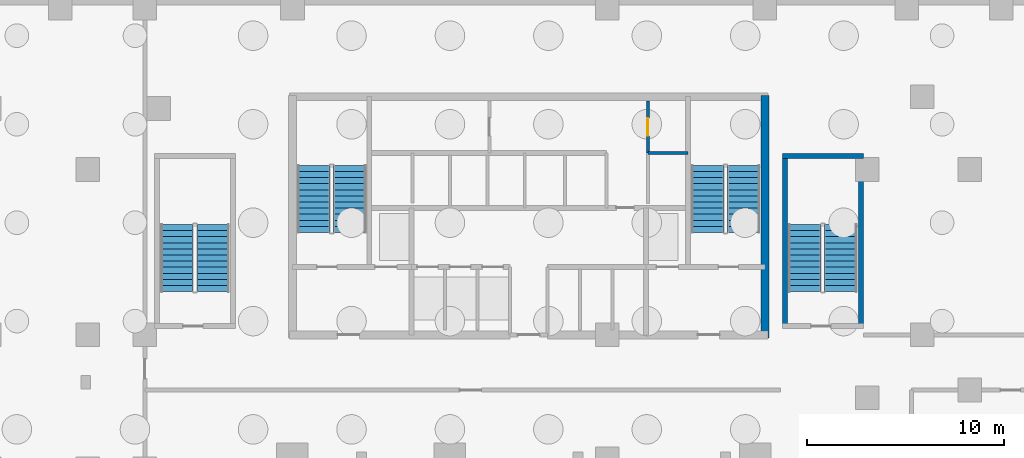
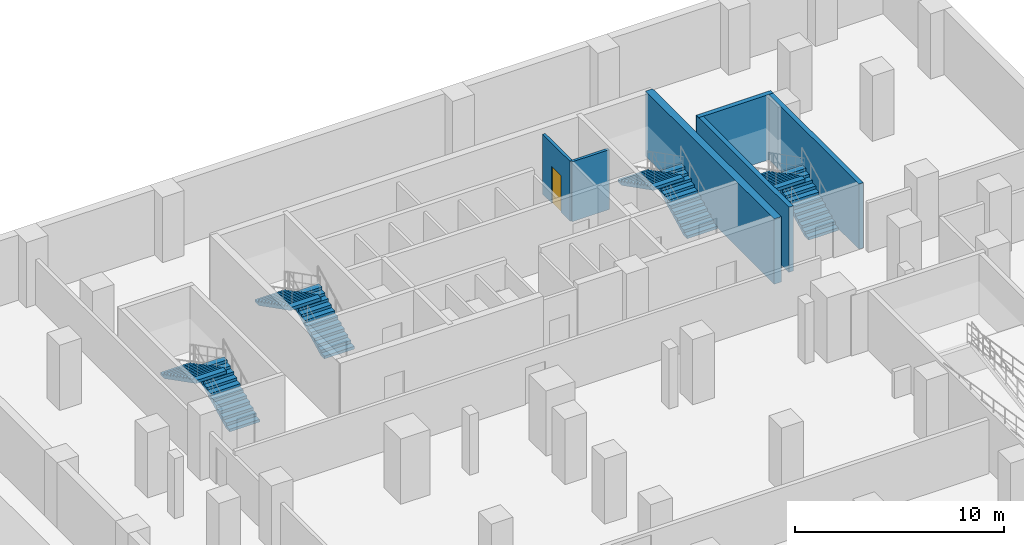
# One storey, part 3 of 6: 8 stair flights, 6 walls, 1 door, 1 opening, 4 elements without a shape of their own.
"""IFC4 building model written with IfcOpenShell, lengths in metres."""

from ifc_helpers import new_model, si_unit, direction, frame, frame_2d, origin, place, context, subcontext, project, spatial, polyline, rectangle, outline, extrude, material, layer, layer_set, type_object, element, fill, aggregate, save


model = new_model("IFC4")

# Units and contexts
model_context = context("Model", 3, precision=1e-05, world=origin(), true_north=direction((0.0, 1.0)))
body_context = subcontext(model_context, "Body", "Model", "MODEL_VIEW")
ifc_project = project(units=[si_unit("LENGTHUNIT", "METRE"), si_unit("AREAUNIT", "SQUARE_METRE"), si_unit("VOLUMEUNIT", "CUBIC_METRE"), si_unit("PLANEANGLEUNIT", "RADIAN"), si_unit("MASSUNIT", "GRAM", prefix="KILO")], contexts=[model_context])

# Site, building, storey
site_placement = place(None, origin())
site = spatial("IfcSite", under=ifc_project, at=site_placement, CompositionType="ELEMENT")
building_placement = place(site_placement, origin())
building = spatial("IfcBuilding", under=site, at=building_placement, Name="Catumbela Crestline Tower", CompositionType="ELEMENT")
storey_placement = place(building_placement, frame((0.0, 0.0, -13.2)))
storey = spatial("IfcBuildingStorey", under=building, at=storey_placement, Name="B03", CompositionType="ELEMENT", Elevation=-13.2)

# Walls
ifc_material_1 = material(Name="Concrete C50/60", Category="concrete")
ifc_layer_1 = layer(ifc_material_1, 0.25, Name="Concrete C50/60")
ifc_layer_set_1 = layer_set([ifc_layer_1], Name="Concrete C50/60")
wall_type_1 = type_object("IfcWallType", Name="CW-250D", PredefinedType="SHEAR", material=ifc_layer_set_1)
for number, where, z_axis, x_axis, name in (
    (1, (41.02, 31.15, 0.0), (0.0, 0.0, 1.0), (0.0, 1.0, 0.0), "B03 Structural Core Shear Wall ST4W"),
    (2, (44.88, 31.15, 0.0), (0.0, 0.0, 1.0), (0.0, 1.0, 0.0), "B03 Structural Core Shear Wall ST4E"),
):
    element("IfcWall", number, at=place(storey_placement, frame(where, z_axis=z_axis, x_axis=x_axis)), inside=storey, type_object=wall_type_1, Name=name, PredefinedType="SHEAR", context=body_context, shape_type="SweptSolid", body=[
        extrude(rectangle(XDim=8.8, YDim=0.25, at=frame_2d((4.4, 0.0))), origin(), (0.0, 0.0, 1.0), 3.8),
    ])
wall_1_placement = place(storey_placement, frame((40.9, 39.88, 0.0), z_axis=(0.0, 0.0, 1.0), x_axis=(1.0, 0.0, 0.0)))
element("IfcWall", 3, at=wall_1_placement, inside=storey, type_object=wall_type_1, Name="B03 Structural Core Shear Wall ST4N", PredefinedType="SHEAR", context=body_context, shape_type="SweptSolid", body=[
    extrude(rectangle(XDim=4.1, YDim=0.25, at=frame_2d((2.05, 0.0))), origin(), (0.0, 0.0, 1.0), 3.8),
])
ifc_material_2 = material(Name="Concrete C60/75", Category="concrete")
ifc_layer_2 = layer(ifc_material_2, 0.4, Name="Concrete C60/75")
ifc_layer_set_2 = layer_set([ifc_layer_2], Name="Concrete C60/75")
wall_type_2 = type_object("IfcWallType", Name="CW-400A", PredefinedType="SHEAR", material=ifc_layer_set_2)
wall_2_placement = place(storey_placement, frame((40.0, 30.65, 0.0), z_axis=(0.0, 0.0, 1.0), x_axis=(0.0, 1.0, 0.0)))
element("IfcWall", 4, at=wall_2_placement, inside=storey, type_object=wall_type_2, Name="B03 Structural Core Shear Wall E", PredefinedType="SHEAR", context=body_context, shape_type="SweptSolid", body=[
    extrude(rectangle(XDim=12.3, YDim=0.4, at=frame_2d((6.15, 0.0))), origin(), (0.0, 0.0, 1.0), 3.8),
])
ifc_material_3 = material(Name="Acoustic gypsum and mineral-wool partition")
ifc_layer_3 = layer(ifc_material_3, 0.15, Name="Acoustic gypsum and mineral-wool partition")
ifc_layer_set_3 = layer_set([ifc_layer_3], Name="Acoustic gypsum and mineral-wool partition")
wall_type_3 = type_object("IfcWallType", Name="WP-150", PredefinedType="PARTITIONING", material=ifc_layer_set_3)
wall_3_placement = place(storey_placement, frame((34.05, 40.05, 0.0), z_axis=(0.0, 0.0, 1.0), x_axis=(1.0, 0.0, 0.0)))
element("IfcWall", 5, at=wall_3_placement, inside=storey, type_object=wall_type_3, Name="B03 Interior Partition PW-B03-CR-ES", PredefinedType="PARTITIONING", context=body_context, shape_type="SweptSolid", body=[
    extrude(rectangle(XDim=2.05, YDim=0.15, at=frame_2d((1.025, 0.0))), origin(), (0.0, 0.0, 1.0), 3.49),
])

# Wall, opening, door
wall_4_placement = place(storey_placement, frame((34.05, 40.05, 0.0), z_axis=(0.0, 0.0, 1.0), x_axis=(0.0, 1.0, 0.0)))
wall_4 = element("IfcWall", 6, at=wall_4_placement, inside=storey, type_object=wall_type_3, Name="B03 Interior Partition PW-B03-CR-EW", PredefinedType="PARTITIONING", context=body_context, shape_type="SweptSolid", body=[
    extrude(rectangle(XDim=2.63, YDim=0.15, at=frame_2d((1.315, 0.0))), origin(), (0.0, 0.0, 1.0), 3.49),
])
opening_placement = place(wall_4_placement, frame((0.865, 0.0, 0.0)))
opening = element("IfcOpeningElement", 7, at=opening_placement, cuts=wall_4, Name="Opening DF9-090", PredefinedType="OPENING", context=body_context, shape_type="SweptSolid", body=[
    extrude(rectangle(XDim=0.9, YDim=2.15, at=frame_2d((0.45, 1.075))), frame((0.0, 0.085, 0.0), z_axis=(0.0, -1.0, 0.0), x_axis=(1.0, 0.0, 0.0)), (0.0, 0.0, 1.0), 0.17),
])
ifc_material_4 = material(Name="Stainless steel EN 1.4401", Category="steel")
door_type = type_object("IfcDoorType", Name="DF9-090", OperationType="NOTDEFINED", PredefinedType="DOOR", material=ifc_material_4)
door_placement = place(opening_placement, origin())
door = element("IfcDoor", 8, at=door_placement, inside=storey, type_object=door_type, Name="B03 Interior Door DR-B03-CREAST", OperationType="SINGLE_SWING_RIGHT", OverallHeight=2.15, OverallWidth=0.9, PredefinedType="DOOR", context=body_context, shape_type="SweptSolid", body=[
    extrude(rectangle(XDim=0.9, YDim=2.15, at=frame_2d((0.45, 1.075))), frame((0.0, 0.025, 0.0), z_axis=(0.0, -1.0, 0.0), x_axis=(1.0, 0.0, 0.0)), (0.0, 0.0, 1.0), 0.05),
])
fill(opening, door)

# Stair, stair flights
ifc_material_5 = material(Name="Concrete C45/55", Category="concrete")
stair_type = type_object("IfcStairType", Name="ST-DLG", PredefinedType="HALF_TURN_STAIR", material=ifc_material_5)
stair_1_placement = place(storey_placement, origin())
stair_1 = element("IfcStair", 9, at=stair_1_placement, inside=storey, type_object=stair_type, Name="B03 West Core Pressurised Exit Stair ST-01", PredefinedType="HALF_TURN_STAIR")
stair_flight_type = type_object("IfcStairFlightType", Name="SF-1583", PredefinedType="STRAIGHT", material=ifc_material_5)
stair_flight_1_placement = place(storey_placement, frame((18.92, 36.0, 0.0), z_axis=(0.0, 0.0, 1.0), x_axis=(0.0, 1.0, 0.0)))
stair_flight_1 = element("IfcStairFlight", 10, at=stair_flight_1_placement, type_object=stair_flight_type, Name="ST-01 flight 1", NumberOfRisers=12, NumberOfTreads=11, PredefinedType="STRAIGHT", RiserHeight=0.158333333, TreadLength=0.31, context=body_context, shape_type="SweptSolid", body=[
    extrude(outline(polyline([(0.0, 0.0), (0.0, 0.1583), (0.31, 0.1583), (0.31, 0.3167), (0.62, 0.3167), (0.62, 0.475), (0.93, 0.475), (0.93, 0.6333), (1.24, 0.6333), (1.24, 0.7917), (1.55, 0.7917), (1.55, 0.95), (1.86, 0.95), (1.86, 1.1083), (2.17, 1.1083), (2.17, 1.2667), (2.48, 1.2667), (2.48, 1.425), (2.79, 1.425), (2.79, 1.5833), (3.1, 1.5833), (3.1, 1.7417), (3.41, 1.7417), (3.41, 1.9), (3.41, 1.562), (0.3518, 0.0), (0.0, 0.0)])), frame((0.0, 0.83, 0.0), z_axis=(0.0, -1.0, 0.0), x_axis=(1.0, 0.0, 0.0)), (0.0, 0.0, 1.0), 1.66),
])
stair_flight_2_placement = place(storey_placement, frame((17.08, 39.41, 1.9), z_axis=(0.0, 0.0, 1.0), x_axis=(0.0, -1.0, 0.0)))
stair_flight_2 = element("IfcStairFlight", 11, at=stair_flight_2_placement, type_object=stair_flight_type, Name="ST-01 flight 2", NumberOfRisers=12, NumberOfTreads=11, PredefinedType="STRAIGHT", RiserHeight=0.158333333, TreadLength=0.31, context=body_context, shape_type="SweptSolid", body=[
    extrude(outline(polyline([(0.0, 0.0), (0.0, 0.1583), (0.31, 0.1583), (0.31, 0.3167), (0.62, 0.3167), (0.62, 0.475), (0.93, 0.475), (0.93, 0.6333), (1.24, 0.6333), (1.24, 0.7917), (1.55, 0.7917), (1.55, 0.95), (1.86, 0.95), (1.86, 1.1083), (2.17, 1.1083), (2.17, 1.2667), (2.48, 1.2667), (2.48, 1.425), (2.79, 1.425), (2.79, 1.5833), (3.1, 1.5833), (3.1, 1.7417), (3.41, 1.7417), (3.41, 1.9), (3.41, 1.562), (0.3518, 0.0), (0.0, 0.0)])), frame((0.0, 0.83, 0.0), z_axis=(0.0, -1.0, 0.0), x_axis=(1.0, 0.0, 0.0)), (0.0, 0.0, 1.0), 1.66),
])
aggregate(stair_1, [stair_flight_1, stair_flight_2])

stair_2_placement = place(storey_placement, origin())
stair_2 = element("IfcStair", 12, at=stair_2_placement, inside=storey, type_object=stair_type, Name="B03 East Core Pressurised Exit Stair ST-02", PredefinedType="HALF_TURN_STAIR")
stair_flight_3_placement = place(storey_placement, frame((38.92, 36.0, 0.0), z_axis=(0.0, 0.0, 1.0), x_axis=(0.0, 1.0, 0.0)))
stair_flight_3 = element("IfcStairFlight", 13, at=stair_flight_3_placement, type_object=stair_flight_type, Name="ST-02 flight 1", NumberOfRisers=12, NumberOfTreads=11, PredefinedType="STRAIGHT", RiserHeight=0.158333333, TreadLength=0.31, context=body_context, shape_type="SweptSolid", body=[
    extrude(outline(polyline([(0.0, 0.0), (0.0, 0.1583), (0.31, 0.1583), (0.31, 0.3167), (0.62, 0.3167), (0.62, 0.475), (0.93, 0.475), (0.93, 0.6333), (1.24, 0.6333), (1.24, 0.7917), (1.55, 0.7917), (1.55, 0.95), (1.86, 0.95), (1.86, 1.1083), (2.17, 1.1083), (2.17, 1.2667), (2.48, 1.2667), (2.48, 1.425), (2.79, 1.425), (2.79, 1.5833), (3.1, 1.5833), (3.1, 1.7417), (3.41, 1.7417), (3.41, 1.9), (3.41, 1.562), (0.3518, 0.0), (0.0, 0.0)])), frame((0.0, 0.83, 0.0), z_axis=(0.0, -1.0, 0.0), x_axis=(1.0, 0.0, 0.0)), (0.0, 0.0, 1.0), 1.66),
])
stair_flight_4_placement = place(storey_placement, frame((37.08, 39.41, 1.9), z_axis=(0.0, 0.0, 1.0), x_axis=(0.0, -1.0, 0.0)))
stair_flight_4 = element("IfcStairFlight", 14, at=stair_flight_4_placement, type_object=stair_flight_type, Name="ST-02 flight 2", NumberOfRisers=12, NumberOfTreads=11, PredefinedType="STRAIGHT", RiserHeight=0.158333333, TreadLength=0.31, context=body_context, shape_type="SweptSolid", body=[
    extrude(outline(polyline([(0.0, 0.0), (0.0, 0.1583), (0.31, 0.1583), (0.31, 0.3167), (0.62, 0.3167), (0.62, 0.475), (0.93, 0.475), (0.93, 0.6333), (1.24, 0.6333), (1.24, 0.7917), (1.55, 0.7917), (1.55, 0.95), (1.86, 0.95), (1.86, 1.1083), (2.17, 1.1083), (2.17, 1.2667), (2.48, 1.2667), (2.48, 1.425), (2.79, 1.425), (2.79, 1.5833), (3.1, 1.5833), (3.1, 1.7417), (3.41, 1.7417), (3.41, 1.9), (3.41, 1.562), (0.3518, 0.0), (0.0, 0.0)])), frame((0.0, 0.83, 0.0), z_axis=(0.0, -1.0, 0.0), x_axis=(1.0, 0.0, 0.0)), (0.0, 0.0, 1.0), 1.66),
])
aggregate(stair_2, [stair_flight_3, stair_flight_4])

stair_3_placement = place(storey_placement, origin())
stair_3 = element("IfcStair", 15, at=stair_3_placement, inside=storey, type_object=stair_type, Name="B03 South-West Podium Exit Stair ST-03", PredefinedType="HALF_TURN_STAIR")
stair_flight_5_placement = place(storey_placement, frame((11.97, 33.0, 0.0), z_axis=(0.0, 0.0, 1.0), x_axis=(0.0, 1.0, 0.0)))
stair_flight_5 = element("IfcStairFlight", 16, at=stair_flight_5_placement, type_object=stair_flight_type, Name="ST-03 flight 1", NumberOfRisers=12, NumberOfTreads=11, PredefinedType="STRAIGHT", RiserHeight=0.158333333, TreadLength=0.31, context=body_context, shape_type="SweptSolid", body=[
    extrude(outline(polyline([(0.0, 0.0), (0.0, 0.1583), (0.31, 0.1583), (0.31, 0.3167), (0.62, 0.3167), (0.62, 0.475), (0.93, 0.475), (0.93, 0.6333), (1.24, 0.6333), (1.24, 0.7917), (1.55, 0.7917), (1.55, 0.95), (1.86, 0.95), (1.86, 1.1083), (2.17, 1.1083), (2.17, 1.2667), (2.48, 1.2667), (2.48, 1.425), (2.79, 1.425), (2.79, 1.5833), (3.1, 1.5833), (3.1, 1.7417), (3.41, 1.7417), (3.41, 1.9), (3.41, 1.562), (0.3518, 0.0), (0.0, 0.0)])), frame((0.0, 0.83, 0.0), z_axis=(0.0, -1.0, 0.0), x_axis=(1.0, 0.0, 0.0)), (0.0, 0.0, 1.0), 1.66),
])
stair_flight_6_placement = place(storey_placement, frame((10.13, 36.41, 1.9), z_axis=(0.0, 0.0, 1.0), x_axis=(0.0, -1.0, 0.0)))
stair_flight_6 = element("IfcStairFlight", 17, at=stair_flight_6_placement, type_object=stair_flight_type, Name="ST-03 flight 2", NumberOfRisers=12, NumberOfTreads=11, PredefinedType="STRAIGHT", RiserHeight=0.158333333, TreadLength=0.31, context=body_context, shape_type="SweptSolid", body=[
    extrude(outline(polyline([(0.0, 0.0), (0.0, 0.1583), (0.31, 0.1583), (0.31, 0.3167), (0.62, 0.3167), (0.62, 0.475), (0.93, 0.475), (0.93, 0.6333), (1.24, 0.6333), (1.24, 0.7917), (1.55, 0.7917), (1.55, 0.95), (1.86, 0.95), (1.86, 1.1083), (2.17, 1.1083), (2.17, 1.2667), (2.48, 1.2667), (2.48, 1.425), (2.79, 1.425), (2.79, 1.5833), (3.1, 1.5833), (3.1, 1.7417), (3.41, 1.7417), (3.41, 1.9), (3.41, 1.562), (0.3518, 0.0), (0.0, 0.0)])), frame((0.0, 0.83, 0.0), z_axis=(0.0, -1.0, 0.0), x_axis=(1.0, 0.0, 0.0)), (0.0, 0.0, 1.0), 1.66),
])
aggregate(stair_3, [stair_flight_5, stair_flight_6])

stair_4_placement = place(storey_placement, origin())
stair_4 = element("IfcStair", 18, at=stair_4_placement, inside=storey, type_object=stair_type, Name="B03 East Galleria Podium Exit Stair ST-04", PredefinedType="HALF_TURN_STAIR")
stair_flight_7_placement = place(storey_placement, frame((43.87, 33.0, 0.0), z_axis=(0.0, 0.0, 1.0), x_axis=(0.0, 1.0, 0.0)))
stair_flight_7 = element("IfcStairFlight", 19, at=stair_flight_7_placement, type_object=stair_flight_type, Name="ST-04 flight 1", NumberOfRisers=12, NumberOfTreads=11, PredefinedType="STRAIGHT", RiserHeight=0.158333333, TreadLength=0.31, context=body_context, shape_type="SweptSolid", body=[
    extrude(outline(polyline([(0.0, 0.0), (0.0, 0.1583), (0.31, 0.1583), (0.31, 0.3167), (0.62, 0.3167), (0.62, 0.475), (0.93, 0.475), (0.93, 0.6333), (1.24, 0.6333), (1.24, 0.7917), (1.55, 0.7917), (1.55, 0.95), (1.86, 0.95), (1.86, 1.1083), (2.17, 1.1083), (2.17, 1.2667), (2.48, 1.2667), (2.48, 1.425), (2.79, 1.425), (2.79, 1.5833), (3.1, 1.5833), (3.1, 1.7417), (3.41, 1.7417), (3.41, 1.9), (3.41, 1.562), (0.3518, 0.0), (0.0, 0.0)])), frame((0.0, 0.83, 0.0), z_axis=(0.0, -1.0, 0.0), x_axis=(1.0, 0.0, 0.0)), (0.0, 0.0, 1.0), 1.66),
])
stair_flight_8_placement = place(storey_placement, frame((42.03, 36.41, 1.9), z_axis=(0.0, 0.0, 1.0), x_axis=(0.0, -1.0, 0.0)))
stair_flight_8 = element("IfcStairFlight", 20, at=stair_flight_8_placement, type_object=stair_flight_type, Name="ST-04 flight 2", NumberOfRisers=12, NumberOfTreads=11, PredefinedType="STRAIGHT", RiserHeight=0.158333333, TreadLength=0.31, context=body_context, shape_type="SweptSolid", body=[
    extrude(outline(polyline([(0.0, 0.0), (0.0, 0.1583), (0.31, 0.1583), (0.31, 0.3167), (0.62, 0.3167), (0.62, 0.475), (0.93, 0.475), (0.93, 0.6333), (1.24, 0.6333), (1.24, 0.7917), (1.55, 0.7917), (1.55, 0.95), (1.86, 0.95), (1.86, 1.1083), (2.17, 1.1083), (2.17, 1.2667), (2.48, 1.2667), (2.48, 1.425), (2.79, 1.425), (2.79, 1.5833), (3.1, 1.5833), (3.1, 1.7417), (3.41, 1.7417), (3.41, 1.9), (3.41, 1.562), (0.3518, 0.0), (0.0, 0.0)])), frame((0.0, 0.83, 0.0), z_axis=(0.0, -1.0, 0.0), x_axis=(1.0, 0.0, 0.0)), (0.0, 0.0, 1.0), 1.66),
])
aggregate(stair_4, [stair_flight_7, stair_flight_8])

save(model, "model.ifc")
